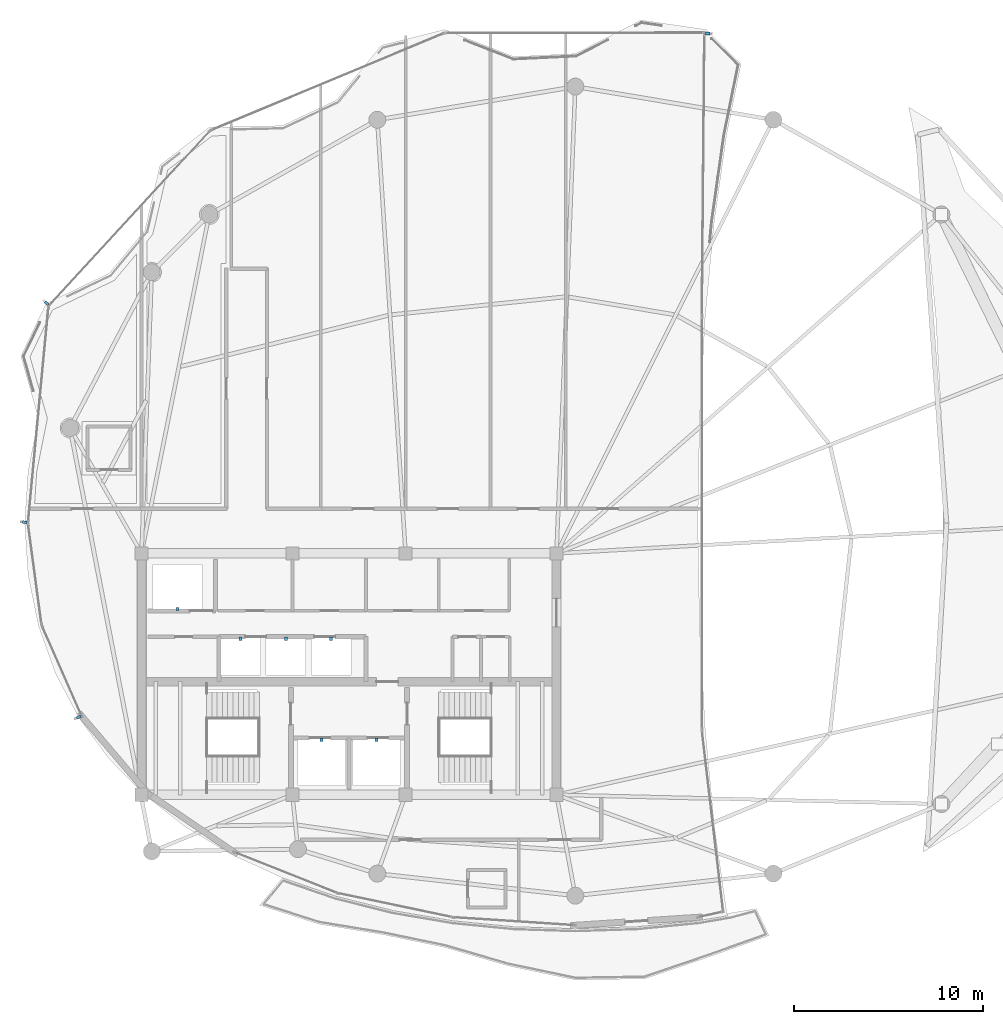
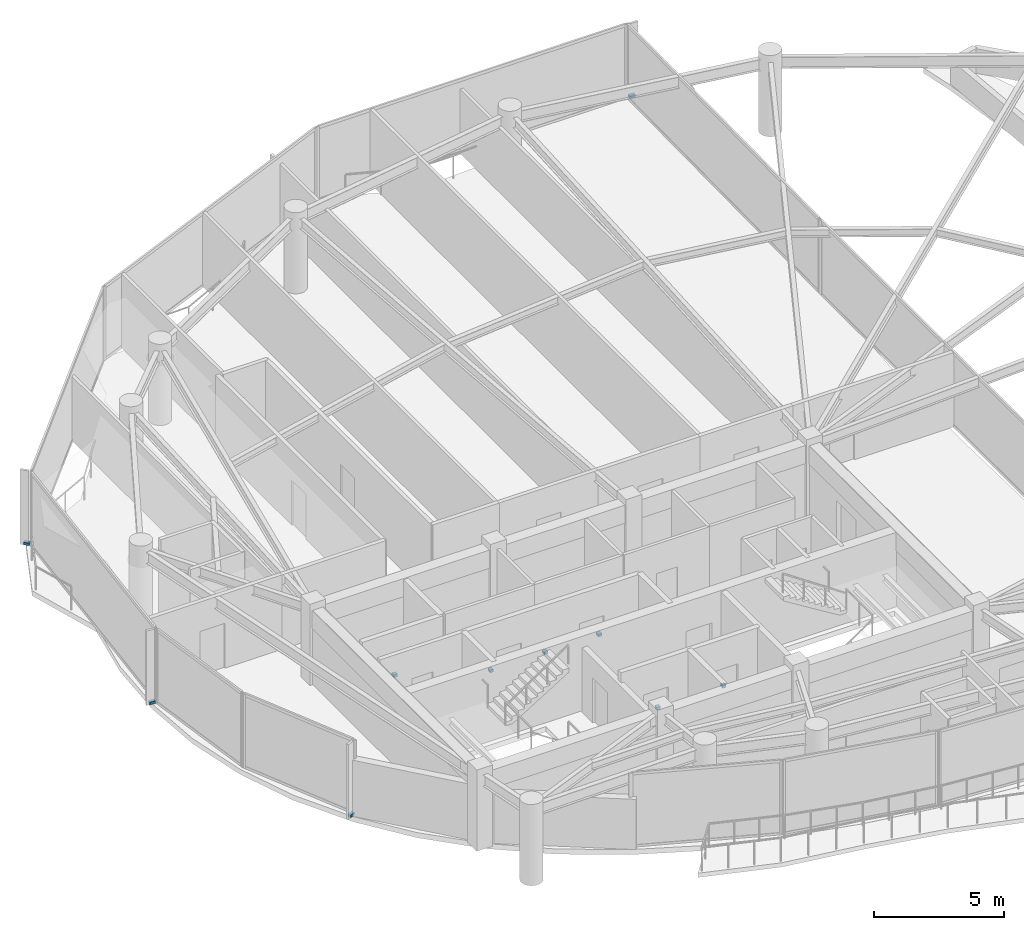
# One storey, part 20 of 22: 10 discrete accessories.
"""IFC4 building model written with IfcOpenShell, lengths in metres."""

from ifc_helpers import new_model, si_unit, direction, frame, origin, origin_2d, place, context, subcontext, project, spatial, rectangle, extrude, material, type_object, element, save


model = new_model("IFC4")

# Units and contexts
model_context = context("Model", 3, precision=1e-05, world=origin(), true_north=direction((0.0, 1.0)))
body_context = subcontext(model_context, "Body", "Model", "MODEL_VIEW")
ifc_project = project(units=[si_unit("LENGTHUNIT", "METRE"), si_unit("AREAUNIT", "SQUARE_METRE"), si_unit("VOLUMEUNIT", "CUBIC_METRE"), si_unit("PLANEANGLEUNIT", "RADIAN"), si_unit("MASSUNIT", "GRAM", prefix="KILO")], contexts=[model_context])

# Site, building, storey
site_placement = place(None, origin())
site = spatial("IfcSite", under=ifc_project, at=site_placement, CompositionType="ELEMENT")
building_placement = place(site_placement, origin())
building = spatial("IfcBuilding", under=site, at=building_placement, Name="Kazevale Care Tower and Concert Hall", CompositionType="ELEMENT")
storey_placement = place(building_placement, frame((0.0, 0.0, 277.60009765625)))
storey = spatial("IfcBuildingStorey", under=building, at=storey_placement, Name="L73", CompositionType="ELEMENT", Elevation=277.60009765625)

# Discrete accessories
ifc_material = material(Name="Stainless Steel 316", Category="steel")
discrete_accessory_type_1 = type_object("IfcDiscreteAccessoryType", Name="Facade Fin Stainless Anchor Bracket BRK-1", PredefinedType="BRACKET", material=ifc_material)
for number, where, z_axis, x_axis, name in (
    (1, (18.67333984375, 27.718994140625, -0.000244140625), (0.0, 0.0, 1.0), (-0.91495966785, -0.403545296352, 0.0), "cw:L73:f07:brk"),
    (2, (15.814453125, 38.055908203125, -0.000244140625), (0.0, 0.0, 1.0), (-0.995545524441, 0.094282070226, 0.0), "cw:L73:f09:brk"),
    (3, (16.97216796875, 49.65966796875, -0.000244140625), (0.0, 0.0, 1.0), (-0.735269577966, 0.677774776543, 0.0), "cw:L73:f10:brk"),
    (4, (52.0166015625, 63.965576171875, -0.000244140625), (0.0, 0.0, 1.0), (0.999960384766, -0.008901061644, 0.0), "cw:L73:f13:brk"),
):
    element("IfcDiscreteAccessory", number, at=place(storey_placement, frame(where, z_axis=z_axis, x_axis=x_axis)), inside=storey, type_object=discrete_accessory_type_1, Name=name, PredefinedType="BRACKET", context=body_context, shape_type="SweptSolid", body=[
        extrude(rectangle(XDim=0.239990234375, YDim=0.139892578125, at=origin_2d()), origin(), (0.0, 0.0, 1.0), 0.1201171875),
    ])
discrete_accessory_type_2 = type_object("IfcDiscreteAccessoryType", Name="Hoistway Guide-Rail Wall Bracket HBRK-1", PredefinedType="BRACKET", material=ifc_material)
for number, where, z_axis, x_axis, name in (
    (5, (31.550048828125, 26.52001953125, 1.23974609375), (0.0, 0.0, 1.0), (1.0, 0.0, 0.0), "hbrk:FFL-1:L73"),
    (6, (34.449951171875, 26.52001953125, 1.23974609375), (0.0, 0.0, 1.0), (1.0, 0.0, 0.0), "hbrk:FFL-2:L73"),
    (7, (23.89990234375, 33.449951171875, 1.23974609375), (0.0, 0.0, 1.0), (1.0, 0.0, 0.0), "hbrk:SVL-1:L73"),
    (8, (27.25, 31.8798828125, 1.23974609375), (0.0, 0.0, 1.0), (1.0, 0.0, 0.0), "hbrk:PH-1:L73"),
    (9, (29.64990234375, 31.8798828125, 1.23974609375), (0.0, 0.0, 1.0), (1.0, 0.0, 0.0), "hbrk:PH-2:L73"),
    (10, (32.050048828125, 31.8798828125, 1.23974609375), (0.0, 0.0, 1.0), (1.0, 0.0, 0.0), "hbrk:PH-3:L73"),
):
    element("IfcDiscreteAccessory", number, at=place(storey_placement, frame(where, z_axis=z_axis, x_axis=x_axis)), inside=storey, type_object=discrete_accessory_type_2, Name=name, PredefinedType="BRACKET", context=body_context, shape_type="SweptSolid", body=[
        extrude(rectangle(XDim=0.159912109375, YDim=0.179931640625, at=origin_2d()), origin(), (0.0, 0.0, 1.0), 0.1201171875),
    ])

save(model, "model.ifc")
